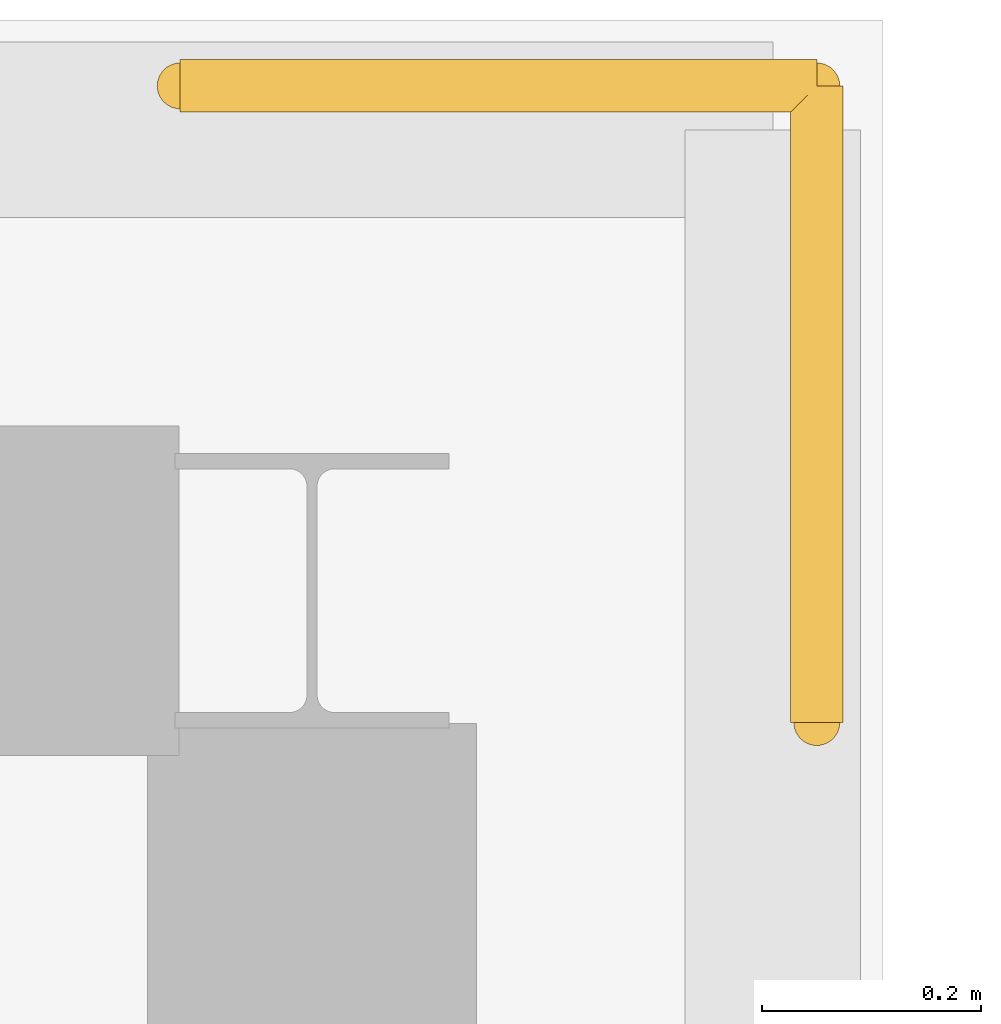
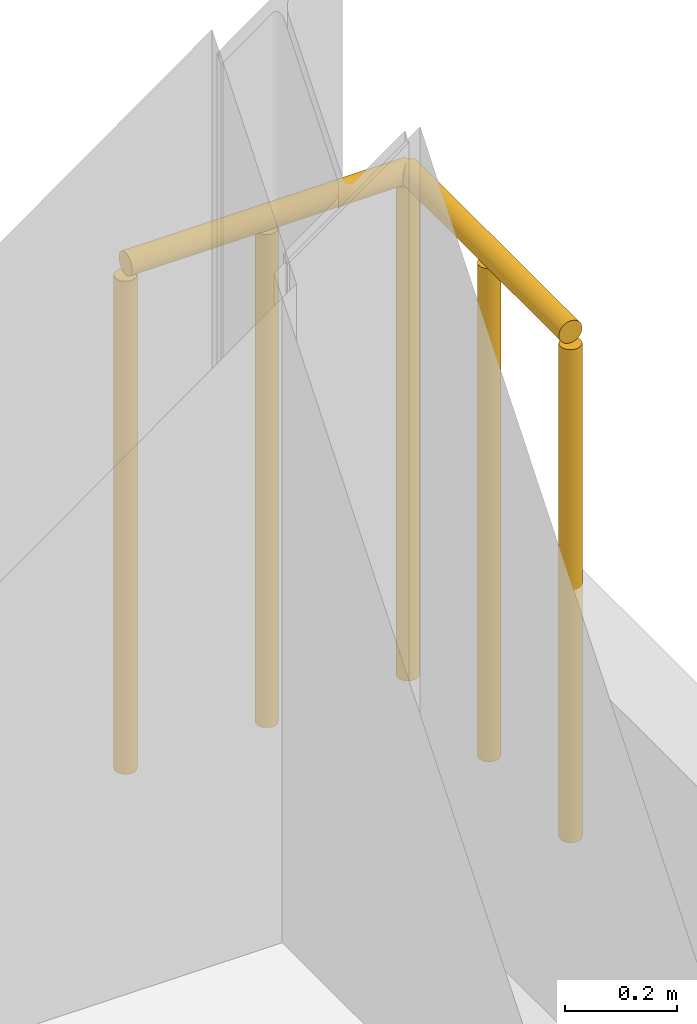
# One storey, part 106 of 108: 1 railing.
"""IFC4 building model written with IfcOpenShell, lengths in metres."""

from ifc_helpers import new_model, si_unit, direction, frame, origin, origin_2d, place, context, subcontext, project, spatial, circle, extrude, material, type_object, element, save


model = new_model("IFC4")

# Units and contexts
model_context = context("Model", 3, precision=1e-05, world=origin(), true_north=direction((0.0, 1.0)))
body_context = subcontext(model_context, "Body", "Model", "MODEL_VIEW")
ifc_project = project(units=[si_unit("LENGTHUNIT", "METRE"), si_unit("AREAUNIT", "SQUARE_METRE"), si_unit("VOLUMEUNIT", "CUBIC_METRE"), si_unit("PLANEANGLEUNIT", "RADIAN"), si_unit("MASSUNIT", "GRAM", prefix="KILO")], contexts=[model_context])

# Site, building, storey
site_placement = place(None, origin())
site = spatial("IfcSite", under=ifc_project, at=site_placement, CompositionType="ELEMENT")
building_placement = place(site_placement, origin())
building = spatial("IfcBuilding", under=site, at=building_placement, Name="Zhaolan Boulevard Law Courts", CompositionType="ELEMENT")
storey_placement = place(building_placement, frame((0.0, 0.0, 10.800048828125)))
storey = spatial("IfcBuildingStorey", under=building, at=storey_placement, Name="L02", CompositionType="ELEMENT", Elevation=10.800048828125)

# Railing
ifc_material = material(Name="Powder-coated steel baluster guardrail", Category="steel")
railing_type = type_object("IfcRailingType", Name="STAIR WELL GUARDRAIL 1120", PredefinedType="GUARDRAIL", material=ifc_material)
railing_placement = place(storey_placement, frame((107.8798828125, 112.4599609375, 0.0)))
element("IfcRailing", 1, at=railing_placement, inside=storey, type_object=railing_type, Name="Slab Corner Guardrail GR-CRN-L02-V6NE", PredefinedType="GUARDRAIL", context=body_context, shape_type="SweptSolid", body=[
    extrude(circle(Radius=0.02392578125, at=origin_2d()), frame((0.0, 0.0, 1.09619140625), z_axis=(1.0, 0.0, 0.0), x_axis=(0.0, 1.0, 0.0)), (0.0, 0.0, 1.0), 0.580078125),
    extrude(circle(Radius=0.02392578125, at=origin_2d()), frame((0.580078125, 0.0, 1.09619140625), z_axis=(0.0, -1.0, 0.0), x_axis=(1.0, 0.0, 0.0)), (0.0, 0.0, 1.0), 0.580078125),
    extrude(circle(Radius=0.02099609375, at=origin_2d()), origin(), (0.0, 0.0, 1.0), 1.072021484375),
    extrude(circle(Radius=0.02099609375, at=origin_2d()), frame((0.2900390625, 0.0, 0.0)), (0.0, 0.0, 1.0), 1.072021484375),
    extrude(circle(Radius=0.02099609375, at=origin_2d()), frame((0.580078125, 0.0, 0.0)), (0.0, 0.0, 1.0), 1.072021484375),
    extrude(circle(Radius=0.02099609375, at=origin_2d()), frame((0.580078125, -0.2900390625, 0.0)), (0.0, 0.0, 1.0), 1.072021484375),
    extrude(circle(Radius=0.02099609375, at=origin_2d()), frame((0.580078125, -0.580078125, 0.0)), (0.0, 0.0, 1.0), 1.072021484375),
])

save(model, "model.ifc")
